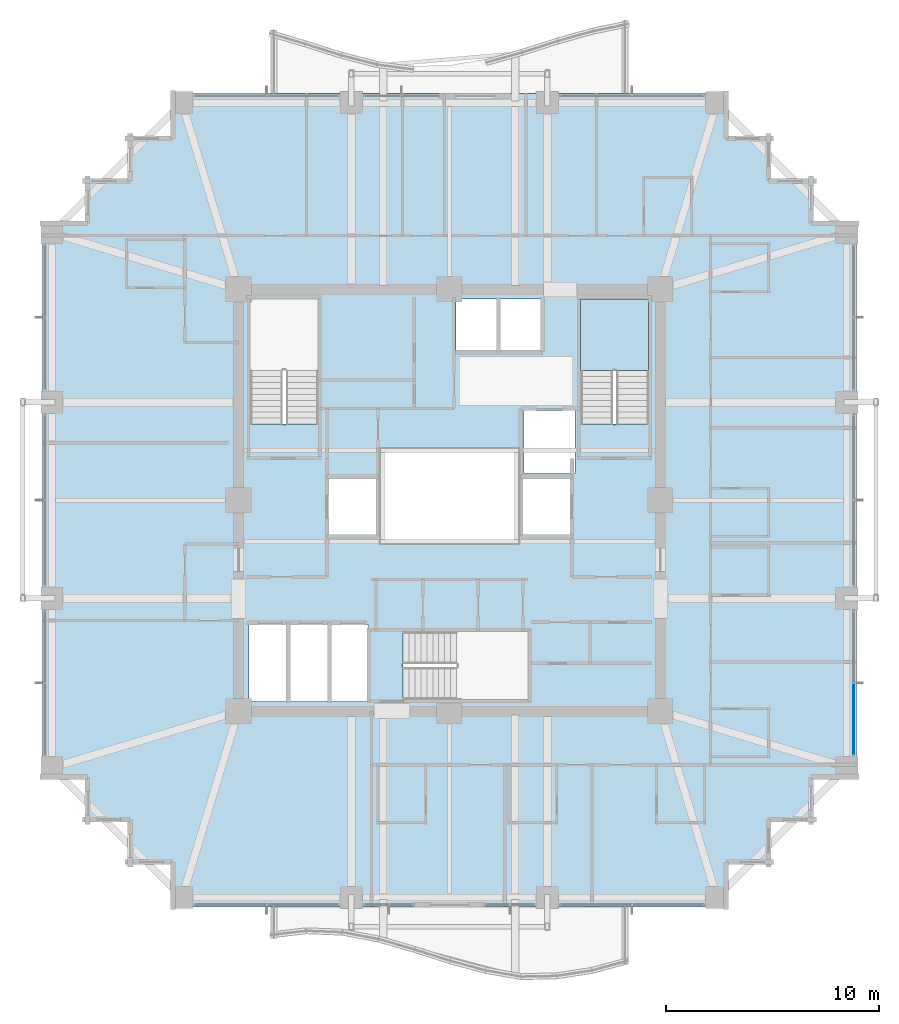
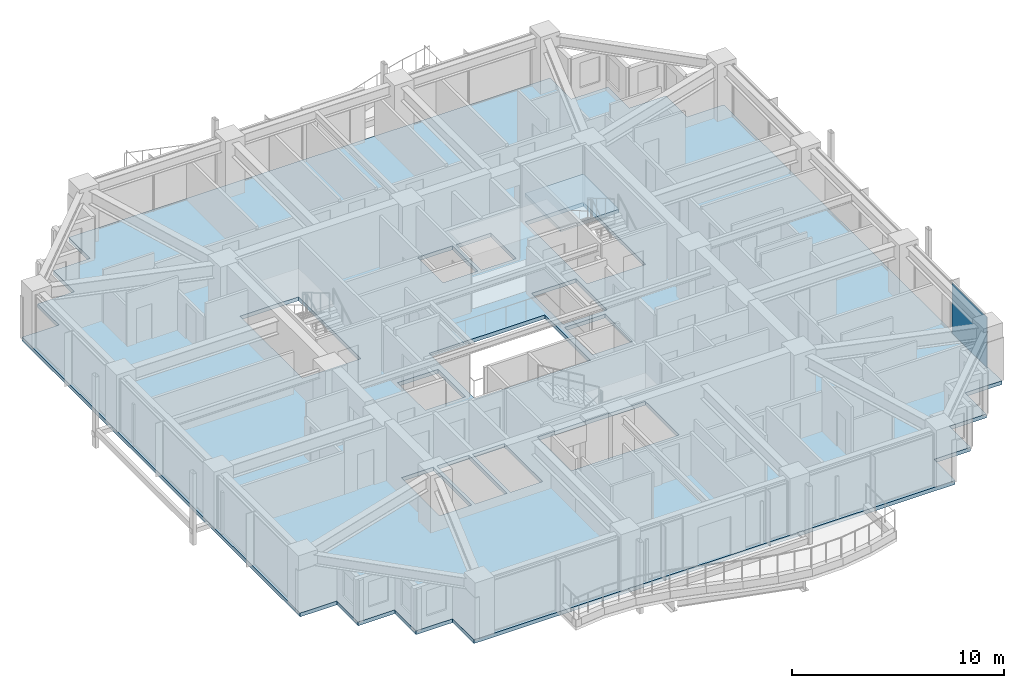
# One storey, part 24 of 34: 2 slabs, 1 plate, 2 elements without a shape of their own.
"""IFC4 building model written with IfcOpenShell, lengths in metres."""

import ifcopenshell
import ifcopenshell.guid

model = None  # the IFC model being written
_history = None  # IfcOwnerHistory: only IFC2X3 demands one
_inside = {}  # id of a spatial element -> (the spatial element, [elements in it])
_under = {}  # id of a project, library or spatial element -> (it, [spatial elements below it])
_declared = {}  # id of a project -> (the project, [libraries it declares])
_typed = {}  # id of a type object -> (the type object, [elements of that type])
_made_of = {}  # id of a material, layer set ... -> (it, [elements and type objects made of it])


def new_model(schema):
    """Start an empty IFC model of exactly this schema.

    Asked for "IFC4X3", IfcOpenShell would pick the latest addendum, in which some entities
    have other attributes; the version numbers below select the first issue.
    IFC2X3 requires an IfcOwnerHistory on every rooted entity: one is made here for all.
    """
    global model, _history
    if schema == "IFC4X3":
        model = ifcopenshell.file(schema_version=(4, 3, 0, 0))
    else:
        model = ifcopenshell.file(schema=schema)
    _inside.clear()
    _under.clear()
    _declared.clear()
    _typed.clear()
    _made_of.clear()
    _history = None
    if model.schema == "IFC2X3":
        org = make("IfcOrganization", Name="unknown")
        user = make(
            "IfcPersonAndOrganization",
            ThePerson=make("IfcPerson", FamilyName="unknown"),
            TheOrganization=org,
        )
        app = make(
            "IfcApplication",
            ApplicationDeveloper=org,
            Version="unknown",
            ApplicationFullName="unknown",
            ApplicationIdentifier="unknown",
        )
        _history = make(
            "IfcOwnerHistory",
            OwningUser=user,
            OwningApplication=app,
            ChangeAction="ADDED",
            CreationDate=0,
        )
    return model


def make(cls, **values):
    """One entity of the class cls with the attributes given. An attribute that is None is left unset."""
    return model.create_entity(
        cls, **{name: value for name, value in values.items() if value is not None}
    )


def rooted(cls, **values):
    """An entity with a GlobalId (a new one), such as an element, a storey or a relation."""
    return make(cls, GlobalId=ifcopenshell.guid.new(), OwnerHistory=_history, **values)


def si_unit(unit_type, name, prefix=None):
    """IfcSIUnit, for example si_unit("LENGTHUNIT", "METRE", prefix="MILLI")."""
    return make("IfcSIUnit", UnitType=unit_type, Prefix=prefix, Name=name)


def assignment(units):
    """IfcUnitAssignment: the units of a project."""
    return None if units is None else make("IfcUnitAssignment", Units=units)


def point(xyz):
    """IfcCartesianPoint."""
    return None if xyz is None else make("IfcCartesianPoint", Coordinates=xyz)


def direction(xyz):
    """IfcDirection."""
    return None if xyz is None else make("IfcDirection", DirectionRatios=xyz)


def frame(location, z_axis=None, x_axis=None):
    """IfcAxis2Placement3D, a coordinate frame: its origin and axes. An axis left out is left unset."""
    return make(
        "IfcAxis2Placement3D",
        Location=point(location),
        Axis=direction(z_axis),
        RefDirection=direction(x_axis),
    )


def frame_2d(location, x_axis=None):
    """IfcAxis2Placement2D, a coordinate frame in the plane: its origin and x axis."""
    return make(
        "IfcAxis2Placement2D", Location=point(location), RefDirection=direction(x_axis)
    )


def origin():
    """The frame at (0, 0, 0) with its axes left unset."""
    return frame((0.0, 0.0, 0.0))


def origin_2d():
    """The frame at (0, 0) in the plane with its x axis left unset."""
    return frame_2d((0.0, 0.0))


def place(relative_to, where):
    """IfcLocalPlacement: puts the frame where relative to a parent placement (None: the world)."""
    return make(
        "IfcLocalPlacement", PlacementRelTo=relative_to, RelativePlacement=where
    )


def context(
    kind, dimensions, precision=None, world=None, true_north=None, identifier=None
):
    """IfcGeometricRepresentationContext, for example the 3D "Model" context."""
    return make(
        "IfcGeometricRepresentationContext",
        ContextIdentifier=identifier,
        ContextType=kind,
        CoordinateSpaceDimension=dimensions,
        Precision=precision,
        WorldCoordinateSystem=world,
        TrueNorth=true_north,
    )


def subcontext(parent, identifier, kind, view, scale=None):
    """IfcGeometricRepresentationSubContext, for example "Body" below "Model"."""
    return make(
        "IfcGeometricRepresentationSubContext",
        ContextIdentifier=identifier,
        ContextType=kind,
        ParentContext=parent,
        TargetScale=scale,
        TargetView=view,
    )


def project(units=None, contexts=None):
    """IfcProject with its units and contexts."""
    return rooted(
        "IfcProject",
        Name="project",
        RepresentationContexts=contexts,
        UnitsInContext=assignment(units),
    )


def spatial(cls, under=None, at=None, **own):
    """A site, building, storey or space (cls), placed at a placement, below another one or the project."""
    s = rooted(cls, ObjectPlacement=at, **own)
    if under is not None:
        _under.setdefault(under.id(), (under, []))[1].append(s)
    return s


def polyline(points):
    """IfcPolyline through the points."""
    return make("IfcPolyline", Points=[point(p) for p in points])


def profile(cls, at=None, kind="AREA", **sizes):
    """A parametric profile (cls). Its sizes go by their IFC names, for example OverallWidth=200.0."""
    return make(cls, ProfileType=kind, Position=at, **sizes)


def rectangle(**sizes):
    """IfcRectangleProfileDef."""
    return profile("IfcRectangleProfileDef", **sizes)


def outline(outer, holes=None, kind="AREA"):
    """IfcArbitraryClosedProfileDef: a profile drawn as a closed curve; with holes, ...WithVoids."""
    if holes is None:
        return make("IfcArbitraryClosedProfileDef", ProfileType=kind, OuterCurve=outer)
    return make(
        "IfcArbitraryProfileDefWithVoids",
        ProfileType=kind,
        OuterCurve=outer,
        InnerCurves=holes,
    )


def extrude(swept, where, along, depth):
    """IfcExtrudedAreaSolid: the profile swept, set in the frame where, extruded along a direction by depth."""
    return make(
        "IfcExtrudedAreaSolid",
        SweptArea=swept,
        Position=where,
        ExtrudedDirection=direction(along),
        Depth=depth,
    )


def shape(context_of_items, identifier, shape_type, items):
    """IfcShapeRepresentation: the items that make up one representation, for example the "Body"."""
    return make(
        "IfcShapeRepresentation",
        ContextOfItems=context_of_items,
        RepresentationIdentifier=identifier,
        RepresentationType=shape_type,
        Items=items,
    )


def material(Name=None, Category=None):
    """IfcMaterial."""
    return make("IfcMaterial", Name=Name, Category=Category)


def layer(
    of_material, thickness, ventilated=None, Name=None, Category=None, Priority=None
):
    """IfcMaterialLayer: one layer of a wall or slab, of a material (None: an air gap)."""
    return make(
        "IfcMaterialLayer",
        Material=of_material,
        LayerThickness=thickness,
        IsVentilated=ventilated,
        Name=Name,
        Category=Category,
        Priority=Priority,
    )


def layer_set(layers, Name=None):
    """IfcMaterialLayerSet."""
    return make("IfcMaterialLayerSet", MaterialLayers=layers, LayerSetName=Name)


def made_of(thing, what):
    """Note that an element or type object is made of a material, layer set ...; save() writes the relation."""
    if what is not None:
        _made_of.setdefault(what.id(), (what, []))[1].append(thing)
    return thing


def type_object(cls, material=None, **own):
    """A type object (cls), such as IfcWallType, which elements share."""
    return made_of(rooted(cls, **own), material)


def element(
    cls,
    number,
    at=None,
    inside=None,
    cuts=None,
    type_object=None,
    material=None,
    context=None,
    identifier="Body",
    shape_type=None,
    held_by="IfcProductDefinitionShape",
    body=None,
    shapes=None,
    **own,
):
    """One element of the class cls, such as IfcWall. Its Tag is "e" and its number.

    at: its placement. inside: the storey or other place that contains it. cuts: it is an
    opening in that element (IfcRelVoidsElement). A single representation is given by context,
    identifier, shape_type and body (its items); several are given by shapes. held_by: the class
    of the entity that holds the representations. save() writes the other relations.
    """
    e = rooted(cls, Tag="e%d" % number, ObjectPlacement=at, **own)
    if body is not None:
        shapes = [shape(context, identifier, shape_type, body)]
    if shapes is not None:
        e.Representation = make(held_by, Representations=shapes)
    if inside is not None:
        _inside.setdefault(inside.id(), (inside, []))[1].append(e)
    if cuts is not None:
        rooted(
            "IfcRelVoidsElement", RelatingBuildingElement=cuts, RelatedOpeningElement=e
        )
    if type_object is not None:
        _typed.setdefault(type_object.id(), (type_object, []))[1].append(e)
    return made_of(e, material)


def aggregate(whole, parts):
    """IfcRelAggregates: a whole, such as a stair, and the parts it consists of."""
    return rooted("IfcRelAggregates", RelatingObject=whole, RelatedObjects=parts)


def save(model, path):
    """Write the relations noted so far, then the file.

    IfcRelAggregates (storeys below a building ...), IfcRelContainedInSpatialStructure (elements
    in a storey), IfcRelDefinesByType, IfcRelAssociatesMaterial and IfcRelDeclares: one each for
    every whole, place, type object, material and project.
    """
    for whole, parts in _under.values():
        aggregate(whole, parts)
    for where, things in _inside.values():
        rooted(
            "IfcRelContainedInSpatialStructure",
            RelatedElements=things,
            RelatingStructure=where,
        )
    for kind, things in _typed.values():
        rooted("IfcRelDefinesByType", RelatedObjects=things, RelatingType=kind)
    for what, things in _made_of.values():
        rooted("IfcRelAssociatesMaterial", RelatedObjects=things, RelatingMaterial=what)
    for by, libraries in _declared.values():
        rooted("IfcRelDeclares", RelatingContext=by, RelatedDefinitions=libraries)
    model.write(path)


model = new_model("IFC4")

# Units and contexts
model_context = context("Model", 3, precision=1e-05, world=origin(), true_north=direction((0.0, 1.0)))
body_context = subcontext(model_context, "Body", "Model", "MODEL_VIEW")
ifc_project = project(units=[si_unit("LENGTHUNIT", "METRE"), si_unit("AREAUNIT", "SQUARE_METRE"), si_unit("VOLUMEUNIT", "CUBIC_METRE"), si_unit("PLANEANGLEUNIT", "RADIAN"), si_unit("MASSUNIT", "GRAM", prefix="KILO")], contexts=[model_context])

# Site, building, storey
site_placement = place(None, origin())
site = spatial("IfcSite", under=ifc_project, at=site_placement, CompositionType="ELEMENT")
building_placement = place(site_placement, origin())
building = spatial("IfcBuilding", under=site, at=building_placement, Name="Kolvaren Belvedere", CompositionType="ELEMENT")
storey_placement = place(building_placement, frame((0.0, 0.0, 111.800048828125)))
storey = spatial("IfcBuildingStorey", under=building, at=storey_placement, Name="L32", CompositionType="ELEMENT", Elevation=111.800048828125)

# Curtain wall, plate
ifc_material_1 = material(Name="Anodised pale-metal aluminium AA 6063-T6", Category="aluminium")
curtain_wall_type = type_object("IfcCurtainWallType", Name="CW-Z3-WAIST", PredefinedType="NOTDEFINED", material=ifc_material_1)
curtain_wall_placement = place(storey_placement, origin())
curtain_wall = element("IfcCurtainWall", 1, at=curtain_wall_placement, inside=storey, type_object=curtain_wall_type, Name="L32 Unitised Curtain Wall FCW-L32-E-B3", PredefinedType="NOTDEFINED")
ifc_material_2 = material(Name="Low-iron triple insulated glass", Category="glass")
ifc_layer_1 = layer(ifc_material_2, 0.028076171875)
ifc_layer_set_1 = layer_set([ifc_layer_1], Name="Low-iron triple insulated glass")
plate_type = type_object("IfcPlateType", Name="CW-PNL-VIS28", PredefinedType="CURTAIN_PANEL", material=ifc_layer_set_1)
plate_placement = place(storey_placement, frame((18.97998046875, -10.273681640625, 0.080078125), z_axis=(0.0, 0.0, 1.0), x_axis=(0.0, -1.0, 0.0)))
plate = element("IfcPlate", 2, at=plate_placement, type_object=plate_type, Name="FCW-L32-E-B3 Vision Glazing Panel 2", PredefinedType="CURTAIN_PANEL", context=body_context, shape_type="SweptSolid", body=[
    extrude(rectangle(XDim=3.3173828125, YDim=0.028076171875, at=origin_2d()), origin(), (0.0, 0.0, 1.0), 2.919921875),
])
aggregate(curtain_wall, [plate])

# Slab
ifc_material_3 = material(Name="Concrete C50/60", Category="concrete")
ifc_layer_2 = layer(ifc_material_3, 0.219970703125)
ifc_layer_set_2 = layer_set([ifc_layer_2], Name="Concrete C50/60")
slab_type_1 = type_object("IfcSlabType", Name="SL-FLR-220", PredefinedType="FLOOR", material=ifc_layer_set_2)
slab_1_placement = place(storey_placement, frame((0.0, 0.0, -0.219970703125)))
element("IfcSlab", 3, at=slab_1_placement, inside=storey, type_object=slab_type_1, Name="L32 Primary Structural Slab", PredefinedType="FLOOR", context=body_context, shape_type="SweptSolid", body=[
    extrude(outline(polyline([(-13.10009765625, -19.10009765625), (13.10009765625, -19.10009765625), (13.10009765625, -17.10009765625), (15.10009765625, -17.10009765625), (15.10009765625, -15.10009765625), (17.10009765625, -15.10009765625), (17.10009765625, -13.10009765625), (19.10009765625, -13.10009765625), (19.10009765625, 13.10009765625), (17.10009765625, 13.10009765625), (17.10009765625, 15.10009765625), (15.10009765625, 15.10009765625), (15.10009765625, 17.10009765625), (13.10009765625, 17.10009765625), (13.10009765625, 19.10009765625), (-13.10009765625, 19.10009765625), (-13.10009765625, 17.10009765625), (-15.10009765625, 17.10009765625), (-15.10009765625, 15.10009765625), (-17.10009765625, 15.10009765625), (-17.10009765625, 13.10009765625), (-19.10009765625, 13.10009765625), (-19.10009765625, -13.10009765625), (-17.10009765625, -13.10009765625), (-17.10009765625, -15.10009765625), (-15.10009765625, -15.10009765625), (-15.10009765625, -17.10009765625), (-13.10009765625, -17.10009765625), (-13.10009765625, -19.10009765625)]), holes=[polyline([(-9.35009765625, 3.580078125), (-6.159912109375, 3.580078125), (-6.159912109375, 9.449951171875), (-9.35009765625, 9.449951171875), (-9.35009765625, 3.580078125)]), polyline([(6.159912109375, 3.580078125), (9.35009765625, 3.580078125), (9.35009765625, 9.449951171875), (6.159912109375, 9.449951171875), (6.159912109375, 3.580078125)]), polyline([(-2.169921875, -9.35009765625), (3.699951171875, -9.35009765625), (3.699951171875, -6.159912109375), (-2.169921875, -6.159912109375), (-2.169921875, -9.35009765625)]), polyline([(-5.64990234375, -1.60009765625), (-3.449951171875, -1.60009765625), (-3.449951171875, 1.0), (-5.64990234375, 1.0), (-5.64990234375, -1.60009765625)]), polyline([(3.5, 1.25), (5.89990234375, 1.25), (5.89990234375, 4.199951171875), (3.5, 4.199951171875), (3.5, 1.25)]), polyline([(3.449951171875, -1.60009765625), (5.64990234375, -1.60009765625), (5.64990234375, 1.0), (3.449951171875, 1.0), (3.449951171875, -1.60009765625)]), polyline([(-9.39990234375, -9.449951171875), (-7.64990234375, -9.449951171875), (-7.64990234375, -5.85009765625), (-9.39990234375, -5.85009765625), (-9.39990234375, -9.449951171875)]), polyline([(-7.469970703125, -9.449951171875), (-5.719970703125, -9.449951171875), (-5.719970703125, -5.85009765625), (-7.469970703125, -5.85009765625), (-7.469970703125, -9.449951171875)]), polyline([(-5.5400390625, -9.449951171875), (-3.7900390625, -9.449951171875), (-3.7900390625, -5.85009765625), (-5.5400390625, -5.85009765625), (-5.5400390625, -9.449951171875)]), polyline([(0.320068359375, 7.050048828125), (2.219970703125, 7.050048828125), (2.219970703125, 9.449951171875), (0.320068359375, 9.449951171875), (0.320068359375, 7.050048828125)]), polyline([(2.39990234375, 7.050048828125), (4.300048828125, 7.050048828125), (4.300048828125, 9.449951171875), (2.39990234375, 9.449951171875), (2.39990234375, 7.050048828125)]), polyline([(-3.14990234375, -1.949951171875), (3.14990234375, -1.949951171875), (3.14990234375, 2.35009765625), (-3.14990234375, 2.35009765625), (-3.14990234375, -1.949951171875)])]), origin(), (0.0, 0.0, 1.0), 0.219970703125),
])

# Stair, slab
ifc_material_4 = material(Name="Concrete C50/60", Category="concrete")
stair_type = type_object("IfcStairType", Name="ST-CORE-1520", PredefinedType="HALF_TURN_STAIR", material=ifc_material_4)
stair_placement = place(storey_placement, origin())
stair = element("IfcStair", 4, at=stair_placement, inside=storey, type_object=stair_type, Name="L32 Protected Exit Stair ST-2", PredefinedType="HALF_TURN_STAIR")
ifc_material_5 = material(Name="Concrete C50/60", Category="concrete")
ifc_layer_3 = layer(ifc_material_5, 0.260009765625)
ifc_layer_set_3 = layer_set([ifc_layer_3], Name="Concrete C50/60")
slab_type_2 = type_object("IfcSlabType", Name="SL-LAND-260", PredefinedType="LANDING", material=ifc_layer_set_3)
slab_2_placement = place(storey_placement, frame((0.0, 0.0, 1.449951171875)))
slab_2 = element("IfcSlab", 5, at=slab_2_placement, type_object=slab_type_2, Name="ST-2 landing 1", PredefinedType="LANDING", context=body_context, shape_type="SweptSolid", body=[
    extrude(outline(polyline([(9.35009765625, 6.090087890625), (9.35009765625, 9.449951171875), (6.159912109375, 9.449951171875), (6.159912109375, 6.090087890625), (9.35009765625, 6.090087890625)])), origin(), (0.0, 0.0, 1.0), 0.199951171875),
])
aggregate(stair, [slab_2])

save(model, "model.ifc")
